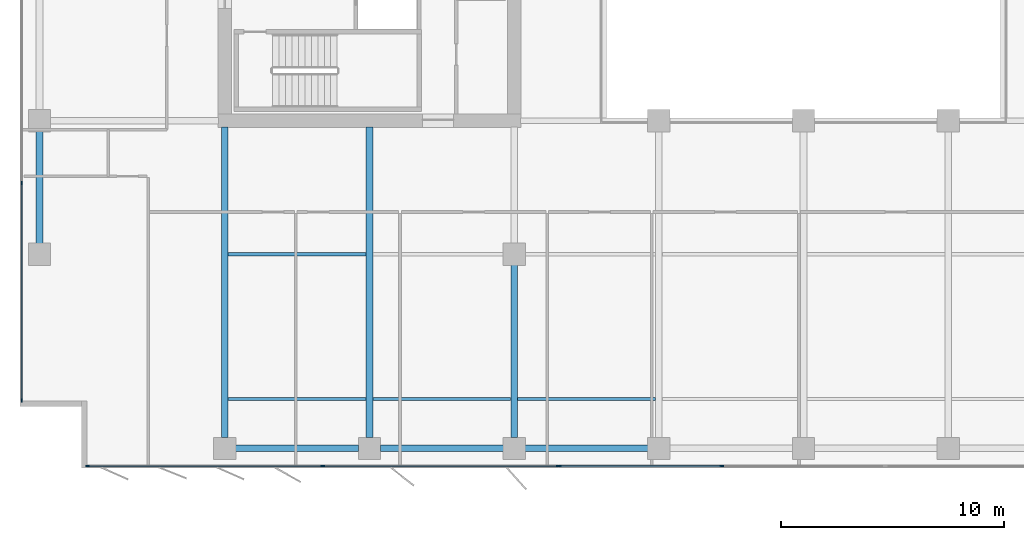
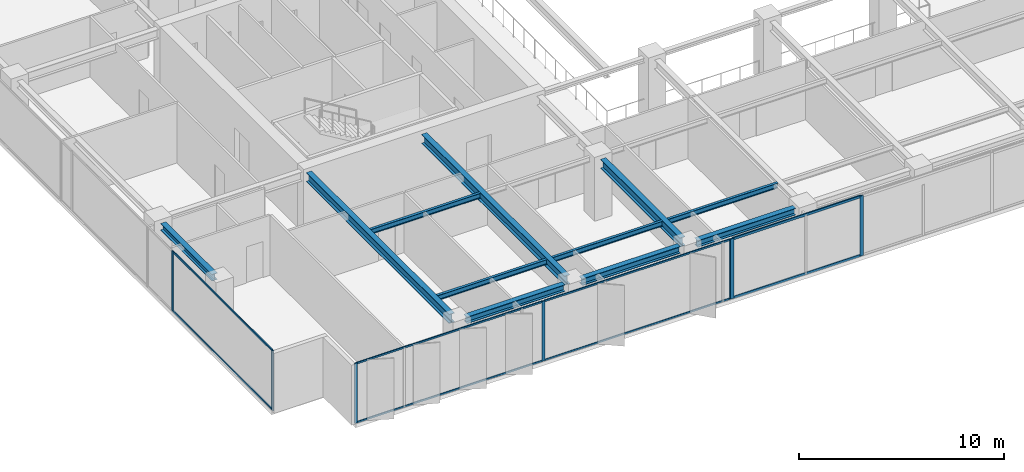
# One storey, part 2 of 22: 15 members, 11 beams, 3 elements without a shape of their own.
"""IFC4 building model written with IfcOpenShell, lengths in metres."""

from ifc_helpers import new_model, si_unit, direction, frame, origin, origin_2d, place, context, subcontext, project, spatial, rectangle, i_section, extrude, material, layer, layer_set, material_profile, profile_set, type_object, element, aggregate, save


model = new_model("IFC4")

# Units and contexts
model_context = context("Model", 3, precision=1e-05, world=origin(), true_north=direction((0.0, 1.0)))
body_context = subcontext(model_context, "Body", "Model", "MODEL_VIEW")
ifc_project = project(units=[si_unit("LENGTHUNIT", "METRE"), si_unit("AREAUNIT", "SQUARE_METRE"), si_unit("VOLUMEUNIT", "CUBIC_METRE"), si_unit("PLANEANGLEUNIT", "RADIAN"), si_unit("MASSUNIT", "GRAM", prefix="KILO")], contexts=[model_context])

# Site, building, storey
site_placement = place(None, origin())
site = spatial("IfcSite", under=ifc_project, at=site_placement, CompositionType="ELEMENT")
building_placement = place(site_placement, origin())
building = spatial("IfcBuilding", under=site, at=building_placement, Name="Putna Gate Headquarters", CompositionType="ELEMENT")
storey_placement = place(building_placement, frame((0.0, 0.0, 182.199951171875)))
storey = spatial("IfcBuildingStorey", under=building, at=storey_placement, Name="L45", CompositionType="ELEMENT", Elevation=182.199951171875)

# Beams
ifc_material_1 = material(Name="Steel S355J2", Category="steel")
ifc_material_profile_1 = material_profile(ifc_material_1, i_section(OverallWidth=0.300048828125, OverallDepth=0.550048828125, WebThickness=0.014892578125, FlangeThickness=0.029052734375, at=origin_2d()), Name="Steel S355J2")
ifc_profile_set_1 = profile_set([ifc_material_profile_1], Name="Steel S355J2")
beam_type_1 = type_object("IfcBeamType", Name="BM-GIRD-Z3-HEB550", PredefinedType="USERDEFINED", material=ifc_profile_set_1)
for number, where, z_axis, x_axis, name in (
    (1, (13.0, 4.76806640625, 3.297119140625), (0.0, 1.0, 0.0), (-1.0, 0.0, 0.0), "L45 South Primary Girder X13"),
    (2, (19.5, 4.76806640625, 3.297119140625), (0.0, 1.0, 0.0), (-1.0, 0.0, 0.0), "L45 South Primary Girder X19"),
):
    element("IfcBeam", number, at=place(storey_placement, frame(where, z_axis=z_axis, x_axis=x_axis)), inside=storey, type_object=beam_type_1, Name=name, ObjectType="GIRDER", PredefinedType="USERDEFINED", context=body_context, shape_type="SweptSolid", body=[
        extrude(i_section(OverallWidth=0.300048828125, OverallDepth=0.550048828125, WebThickness=0.014892578125, FlangeThickness=0.029052734375, at=origin_2d()), origin(), (0.0, 0.0, 1.0), 13.947021484375),
    ])
beam_1_placement = place(storey_placement, frame((26.0, 4.76806640625, 3.297119140625), z_axis=(0.0, 1.0, 0.0), x_axis=(-1.0, 0.0, 0.0)))
element("IfcBeam", 3, at=beam_1_placement, inside=storey, type_object=beam_type_1, Name="L45 South Primary Girder X26-1", ObjectType="GIRDER", PredefinedType="USERDEFINED", context=body_context, shape_type="SweptSolid", body=[
    extrude(i_section(OverallWidth=0.300048828125, OverallDepth=0.550048828125, WebThickness=0.014892578125, FlangeThickness=0.029052734375, at=origin_2d()), origin(), (0.0, 0.0, 1.0), 7.743896484375),
])
ifc_material_profile_2 = material_profile(ifc_material_1, i_section(OverallWidth=0.14990234375, OverallDepth=0.300048828125, WebThickness=0.007080078125, FlangeThickness=0.0107421875, at=origin_2d()), Name="Steel S355J2")
ifc_profile_set_2 = profile_set([ifc_material_profile_2], Name="Steel S355J2")
beam_type_2 = type_object("IfcBeamType", Name="BM-SEC-Z3-IPE300", PredefinedType="JOIST", material=ifc_profile_set_2)
for number, where, z_axis, x_axis, name in (
    (4, (13.154052734375, 6.5, 3.422119140625), (1.0, 0.0, 0.0), (0.0, 1.0, 0.0), "L45 South Secondary Beam 1"),
    (5, (13.154052734375, 13.0, 3.422119140625), (1.0, 0.0, 0.0), (0.0, 1.0, 0.0), "L45 South Secondary Beam 1"),
    (6, (19.654052734375, 6.5, 3.422119140625), (1.0, 0.0, 0.0), (0.0, 1.0, 0.0), "L45 South Secondary Beam 2"),
    (7, (26.154052734375, 6.5, 3.422119140625), (1.0, 0.0, 0.0), (0.0, 1.0, 0.0), "L45 South Secondary Beam 3"),
):
    element("IfcBeam", number, at=place(storey_placement, frame(where, z_axis=z_axis, x_axis=x_axis)), inside=storey, type_object=beam_type_2, Name=name, PredefinedType="JOIST", context=body_context, shape_type="SweptSolid", body=[
        extrude(i_section(OverallWidth=0.14990234375, OverallDepth=0.300048828125, WebThickness=0.007080078125, FlangeThickness=0.0107421875, at=origin_2d()), origin(), (0.0, 0.0, 1.0), 6.19189453125),
    ])
ifc_material_profile_3 = material_profile(ifc_material_1, i_section(OverallWidth=0.300048828125, OverallDepth=0.39990234375, WebThickness=0.013427734375, FlangeThickness=0.02392578125, at=origin_2d()), Name="Steel S355J2")
ifc_profile_set_3 = profile_set([ifc_material_profile_3], Name="Steel S355J2")
beam_type_3 = type_object("IfcBeamType", Name="BM-SPAN-Z3-HEB400", PredefinedType="SPANDREL", material=ifc_profile_set_3)
for number, where, z_axis, x_axis, name in (
    (8, (13.488037109375, 4.280029296875, 3.3720703125), (1.0, 0.0, 0.0), (0.0, 1.0, 0.0), "L45 S Perimeter Spandrel 1"),
    (9, (19.988037109375, 4.280029296875, 3.3720703125), (1.0, 0.0, 0.0), (0.0, 1.0, 0.0), "L45 S Perimeter Spandrel 2"),
    (10, (26.488037109375, 4.280029296875, 3.3720703125), (1.0, 0.0, 0.0), (0.0, 1.0, 0.0), "L45 S Perimeter Spandrel 3"),
):
    element("IfcBeam", number, at=place(storey_placement, frame(where, z_axis=z_axis, x_axis=x_axis)), inside=storey, type_object=beam_type_3, Name=name, PredefinedType="SPANDREL", context=body_context, shape_type="SweptSolid", body=[
        extrude(i_section(OverallWidth=0.300048828125, OverallDepth=0.39990234375, WebThickness=0.013427734375, FlangeThickness=0.02392578125, at=origin_2d()), origin(), (0.0, 0.0, 1.0), 5.52392578125),
    ])
beam_2_placement = place(storey_placement, frame((4.679931640625, 13.488037109375, 3.3720703125), z_axis=(0.0, 1.0, 0.0), x_axis=(-1.0, 0.0, 0.0)))
element("IfcBeam", 11, at=beam_2_placement, inside=storey, type_object=beam_type_3, Name="L45 W End Spandrel 1", PredefinedType="SPANDREL", context=body_context, shape_type="SweptSolid", body=[
    extrude(i_section(OverallWidth=0.300048828125, OverallDepth=0.39990234375, WebThickness=0.013427734375, FlangeThickness=0.02392578125, at=origin_2d()), origin(), (0.0, 0.0, 1.0), 5.02392578125),
])

# Curtain wall, members
ifc_material_2 = material(Name="Anodised bronze aluminium curtain wall", Category="aluminium")
ifc_layer_1 = layer(ifc_material_2, 0.159912109375)
ifc_layer_set_1 = layer_set([ifc_layer_1], Name="Anodised bronze aluminium curtain wall")
curtain_wall_type_1 = type_object("IfcCurtainWallType", Name="CW-SYS-Z3", PredefinedType="USERDEFINED", material=ifc_layer_set_1)
curtain_wall_1_placement = place(storey_placement, origin())
curtain_wall_1 = element("IfcCurtainWall", 12, at=curtain_wall_1_placement, inside=storey, type_object=curtain_wall_type_1, Name="L45 South West Curtain Wall", ObjectType="STICK CURTAIN WALL", PredefinedType="USERDEFINED")
ifc_material_3 = material(Name="Anodised bronze aluminium EN AW-6060", Category="aluminium")
ifc_material_profile_4 = material_profile(ifc_material_3, rectangle(XDim=0.06494140625, YDim=0.159912109375, at=origin_2d()), Name="Anodised bronze aluminium EN AW-6060")
ifc_profile_set_4 = profile_set([ifc_material_profile_4], Name="Anodised bronze aluminium EN AW-6060")
member_type_1 = type_object("IfcMemberType", Name="MULL-CWM-3", PredefinedType="MULLION", material=ifc_profile_set_4)
member_1_placement = place(storey_placement, frame((6.83251953125, 3.47998046875, 0.0), z_axis=(0.0, 0.0, 1.0), x_axis=(0.0, 1.0, 0.0)))
member_1 = element("IfcMember", 13, at=member_1_placement, type_object=member_type_1, Name="CWS-3 mullion 1", PredefinedType="MULLION", context=body_context, shape_type="SweptSolid", body=[
    extrude(rectangle(XDim=0.06494140625, YDim=0.159912109375, at=origin_2d()), origin(), (0.0, 0.0, 1.0), 3.572021484375),
])
member_2_placement = place(storey_placement, frame((17.39990234375, 3.47998046875, 0.0), z_axis=(0.0, 0.0, 1.0), x_axis=(0.0, 1.0, 0.0)))
member_2 = element("IfcMember", 14, at=member_2_placement, type_object=member_type_1, Name="CWS-3 mullion 2", PredefinedType="MULLION", context=body_context, shape_type="SweptSolid", body=[
    extrude(rectangle(XDim=0.06494140625, YDim=0.159912109375, at=origin_2d()), origin(), (0.0, 0.0, 1.0), 3.572021484375),
])
member_3_placement = place(storey_placement, frame((27.967529296875, 3.47998046875, 0.0), z_axis=(0.0, 0.0, 1.0), x_axis=(0.0, 1.0, 0.0)))
member_3 = element("IfcMember", 15, at=member_3_placement, type_object=member_type_1, Name="CWS-3 mullion 3", PredefinedType="MULLION", context=body_context, shape_type="SweptSolid", body=[
    extrude(rectangle(XDim=0.06494140625, YDim=0.159912109375, at=origin_2d()), origin(), (0.0, 0.0, 1.0), 3.572021484375),
])

curtain_wall_2_placement = place(storey_placement, origin())
curtain_wall_2 = element("IfcCurtainWall", 16, at=curtain_wall_2_placement, inside=storey, type_object=curtain_wall_type_1, Name="L45 West Curtain Wall", ObjectType="STICK CURTAIN WALL", PredefinedType="USERDEFINED")
member_4_placement = place(storey_placement, frame((3.8798828125, 6.4326171875, 0.0), z_axis=(0.0, 0.0, 1.0), x_axis=(-1.0, 0.0, 0.0)))
member_4 = element("IfcMember", 17, at=member_4_placement, type_object=member_type_1, Name="CWS-3 mullion 1", PredefinedType="MULLION", context=body_context, shape_type="SweptSolid", body=[
    extrude(rectangle(XDim=0.06494140625, YDim=0.159912109375, at=origin_2d()), origin(), (0.0, 0.0, 1.0), 3.572021484375),
])
member_5_placement = place(storey_placement, frame((3.8798828125, 16.199951171875, 0.0), z_axis=(0.0, 0.0, 1.0), x_axis=(-1.0, 0.0, 0.0)))
member_5 = element("IfcMember", 18, at=member_5_placement, type_object=member_type_1, Name="CWS-3 mullion 2", PredefinedType="MULLION", context=body_context, shape_type="SweptSolid", body=[
    extrude(rectangle(XDim=0.06494140625, YDim=0.159912109375, at=origin_2d()), origin(), (0.0, 0.0, 1.0), 3.572021484375),
])

ifc_layer_2 = layer(ifc_material_2, 0.179931640625)
ifc_layer_set_2 = layer_set([ifc_layer_2], Name="Anodised bronze aluminium curtain wall")
curtain_wall_type_2 = type_object("IfcCurtainWallType", Name="CW-SYS-ATR", PredefinedType="USERDEFINED", material=ifc_layer_set_2)
curtain_wall_3_placement = place(storey_placement, origin())
curtain_wall_3 = element("IfcCurtainWall", 19, at=curtain_wall_3_placement, inside=storey, type_object=curtain_wall_type_2, Name="L45 South Atrium Clear Glazing", ObjectType="ATRIUM GLAZING", PredefinedType="USERDEFINED")
ifc_material_profile_5 = material_profile(ifc_material_3, rectangle(XDim=0.070068359375, YDim=0.179931640625, at=origin_2d()), Name="Anodised bronze aluminium EN AW-6060")
ifc_profile_set_5 = profile_set([ifc_material_profile_5], Name="Anodised bronze aluminium EN AW-6060")
member_type_2 = type_object("IfcMemberType", Name="MULL-CWM-AT", PredefinedType="MULLION", material=ifc_profile_set_5)
member_6_placement = place(storey_placement, frame((28.034912109375, 3.47998046875, 0.0), z_axis=(0.0, 0.0, 1.0), x_axis=(0.0, 1.0, 0.0)))
member_6 = element("IfcMember", 20, at=member_6_placement, type_object=member_type_2, Name="CWS-AT mullion 1", PredefinedType="MULLION", context=body_context, shape_type="SweptSolid", body=[
    extrude(rectangle(XDim=0.070068359375, YDim=0.179931640625, at=origin_2d()), origin(), (0.0, 0.0, 1.0), 3.572021484375),
])
member_7_placement = place(storey_placement, frame((35.333251953125, 3.47998046875, 0.0), z_axis=(0.0, 0.0, 1.0), x_axis=(0.0, 1.0, 0.0)))
member_7 = element("IfcMember", 21, at=member_7_placement, type_object=member_type_2, Name="CWS-AT mullion 2", PredefinedType="MULLION", context=body_context, shape_type="SweptSolid", body=[
    extrude(rectangle(XDim=0.070068359375, YDim=0.179931640625, at=origin_2d()), origin(), (0.0, 0.0, 1.0), 3.572021484375),
])

# Member
ifc_material_profile_6 = material_profile(ifc_material_3, rectangle(XDim=0.06005859375, YDim=0.10009765625, at=origin_2d()), Name="Anodised bronze aluminium EN AW-6060")
ifc_profile_set_6 = profile_set([ifc_material_profile_6], Name="Anodised bronze aluminium EN AW-6060")
member_type_3 = type_object("IfcMemberType", Name="TRAN-CWT-3", PredefinedType="USERDEFINED", material=ifc_profile_set_6)
member_8_placement = place(storey_placement, frame((6.864990234375, 3.47998046875, 0.030029296875), z_axis=(1.0, 0.0, 0.0), x_axis=(0.0, 1.0, 0.0)))
member_8 = element("IfcMember", 22, at=member_8_placement, type_object=member_type_3, Name="CWS-3 transom 1.1", ObjectType="TRANSOM", PredefinedType="USERDEFINED", context=body_context, shape_type="SweptSolid", body=[
    extrude(rectangle(XDim=0.06005859375, YDim=0.10009765625, at=origin_2d()), origin(), (0.0, 0.0, 1.0), 10.50244140625),
])

member_9_placement = place(storey_placement, frame((6.864990234375, 3.47998046875, 3.5419921875), z_axis=(1.0, 0.0, 0.0), x_axis=(0.0, 1.0, 0.0)))
member_9 = element("IfcMember", 23, at=member_9_placement, type_object=member_type_3, Name="CWS-3 transom 1.2", ObjectType="TRANSOM", PredefinedType="USERDEFINED", context=body_context, shape_type="SweptSolid", body=[
    extrude(rectangle(XDim=0.06005859375, YDim=0.10009765625, at=origin_2d()), origin(), (0.0, 0.0, 1.0), 10.50244140625),
])

member_10_placement = place(storey_placement, frame((17.4326171875, 3.47998046875, 0.030029296875), z_axis=(1.0, 0.0, 0.0), x_axis=(0.0, 1.0, 0.0)))
member_10 = element("IfcMember", 24, at=member_10_placement, type_object=member_type_3, Name="CWS-3 transom 2.1", ObjectType="TRANSOM", PredefinedType="USERDEFINED", context=body_context, shape_type="SweptSolid", body=[
    extrude(rectangle(XDim=0.06005859375, YDim=0.10009765625, at=origin_2d()), origin(), (0.0, 0.0, 1.0), 10.50244140625),
])

member_11_placement = place(storey_placement, frame((17.4326171875, 3.47998046875, 3.5419921875), z_axis=(1.0, 0.0, 0.0), x_axis=(0.0, 1.0, 0.0)))
member_11 = element("IfcMember", 25, at=member_11_placement, type_object=member_type_3, Name="CWS-3 transom 2.2", ObjectType="TRANSOM", PredefinedType="USERDEFINED", context=body_context, shape_type="SweptSolid", body=[
    extrude(rectangle(XDim=0.06005859375, YDim=0.10009765625, at=origin_2d()), origin(), (0.0, 0.0, 1.0), 10.50244140625),
])

aggregate(curtain_wall_1, [member_1, member_2, member_3, member_8, member_9, member_10, member_11])

member_12_placement = place(storey_placement, frame((3.8798828125, 6.465087890625, 0.030029296875), z_axis=(0.0, 1.0, 0.0), x_axis=(-1.0, 0.0, 0.0)))
member_12 = element("IfcMember", 26, at=member_12_placement, type_object=member_type_3, Name="CWS-3 transom 1.1", ObjectType="TRANSOM", PredefinedType="USERDEFINED", context=body_context, shape_type="SweptSolid", body=[
    extrude(rectangle(XDim=0.06005859375, YDim=0.10009765625, at=origin_2d()), origin(), (0.0, 0.0, 1.0), 9.702392578125),
])

member_13_placement = place(storey_placement, frame((3.8798828125, 6.465087890625, 3.5419921875), z_axis=(0.0, 1.0, 0.0), x_axis=(-1.0, 0.0, 0.0)))
member_13 = element("IfcMember", 27, at=member_13_placement, type_object=member_type_3, Name="CWS-3 transom 1.2", ObjectType="TRANSOM", PredefinedType="USERDEFINED", context=body_context, shape_type="SweptSolid", body=[
    extrude(rectangle(XDim=0.06005859375, YDim=0.10009765625, at=origin_2d()), origin(), (0.0, 0.0, 1.0), 9.702392578125),
])

aggregate(curtain_wall_2, [member_4, member_5, member_12, member_13])

ifc_material_profile_7 = material_profile(ifc_material_3, rectangle(XDim=0.070068359375, YDim=0.139892578125, at=origin_2d()), Name="Anodised bronze aluminium EN AW-6060")
ifc_profile_set_7 = profile_set([ifc_material_profile_7], Name="Anodised bronze aluminium EN AW-6060")
member_type_4 = type_object("IfcMemberType", Name="TRAN-CWT-AT", PredefinedType="USERDEFINED", material=ifc_profile_set_7)
member_14_placement = place(storey_placement, frame((28.070068359375, 3.47998046875, 0.03515625), z_axis=(1.0, 0.0, 0.0), x_axis=(0.0, 1.0, 0.0)))
member_14 = element("IfcMember", 28, at=member_14_placement, type_object=member_type_4, Name="CWS-AT transom 1.1", ObjectType="TRANSOM", PredefinedType="USERDEFINED", context=body_context, shape_type="SweptSolid", body=[
    extrude(rectangle(XDim=0.070068359375, YDim=0.139892578125, at=origin_2d()), origin(), (0.0, 0.0, 1.0), 7.228271484375),
])

member_15_placement = place(storey_placement, frame((28.070068359375, 3.47998046875, 3.537109375), z_axis=(1.0, 0.0, 0.0), x_axis=(0.0, 1.0, 0.0)))
member_15 = element("IfcMember", 29, at=member_15_placement, type_object=member_type_4, Name="CWS-AT transom 1.2", ObjectType="TRANSOM", PredefinedType="USERDEFINED", context=body_context, shape_type="SweptSolid", body=[
    extrude(rectangle(XDim=0.070068359375, YDim=0.139892578125, at=origin_2d()), origin(), (0.0, 0.0, 1.0), 7.228271484375),
])

aggregate(curtain_wall_3, [member_6, member_7, member_14, member_15])

save(model, "model.ifc")
